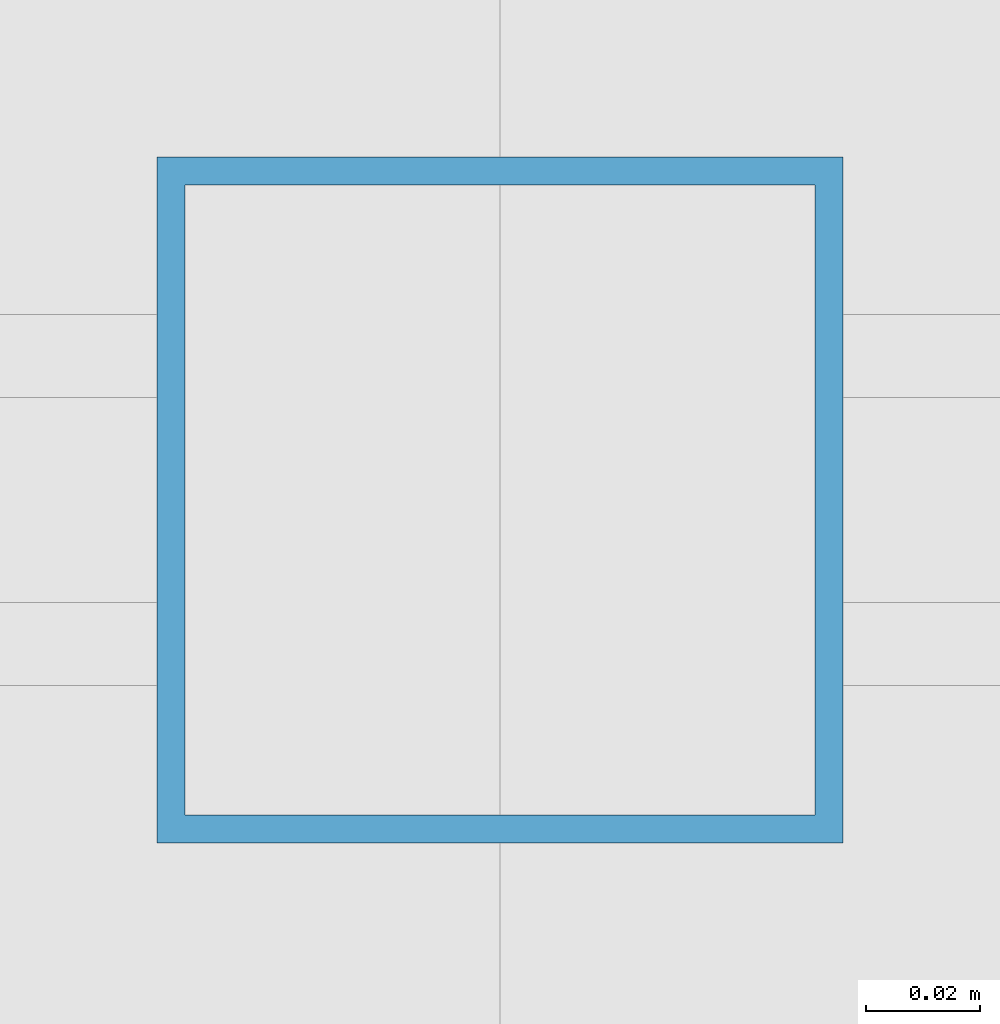
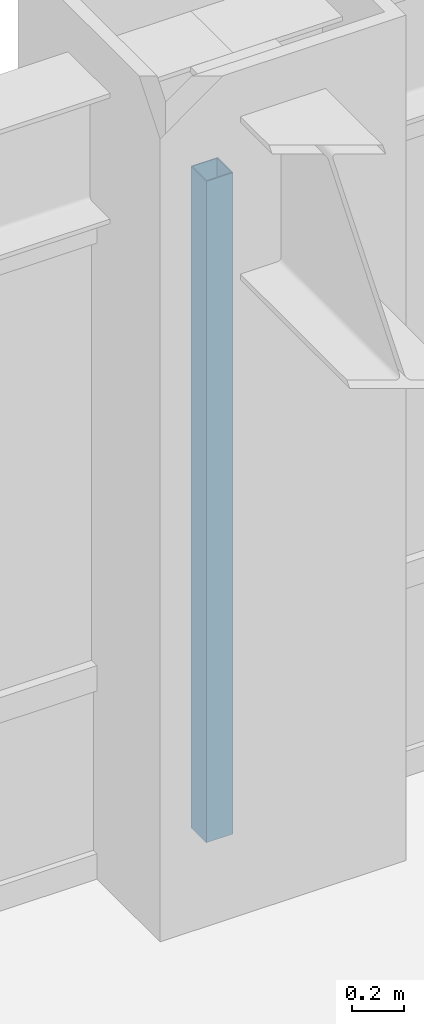
# One storey, part 16 of 24: 1 member, 1 element without a shape of its own.
"""IFC4 building model written with IfcOpenShell, lengths in metres."""

from ifc_helpers import new_model, si_unit, direction, frame, origin, origin_2d, place, context, subcontext, project, spatial, hollow_rectangle, extrude, source, transform, mapped, material, material_profile, profile_set, type_object, element, aggregate, save


model = new_model("IFC4")

# Units and contexts
model_context = context("Model", 3, precision=1e-05, world=origin(), true_north=direction((0.0, 1.0)))
body_context = subcontext(model_context, "Body", "Model", "MODEL_VIEW")
ifc_project = project(units=[si_unit("LENGTHUNIT", "METRE"), si_unit("AREAUNIT", "SQUARE_METRE"), si_unit("VOLUMEUNIT", "CUBIC_METRE"), si_unit("PLANEANGLEUNIT", "RADIAN"), si_unit("MASSUNIT", "GRAM", prefix="KILO")], contexts=[model_context])

# Site, building, storey
site_placement = place(None, origin())
site = spatial("IfcSite", under=ifc_project, at=site_placement, CompositionType="ELEMENT")
building_placement = place(site_placement, origin())
building = spatial("IfcBuilding", under=site, at=building_placement, Name="Khorayat Bourse Tower", CompositionType="ELEMENT")
storey_placement = place(building_placement, frame((0.0, 0.0, 159.10009765625)))
storey = spatial("IfcBuildingStorey", under=building, at=storey_placement, Name="L36", CompositionType="ELEMENT", Elevation=159.10009765625)

# Curtain wall, member
ifc_material = material(Name="Aluminium EN AW-6063 T6", Category="aluminium")
curtain_wall_type = type_object("IfcCurtainWallType", Name="CW-SYS-03", PredefinedType="NOTDEFINED", material=ifc_material)
curtain_wall_placement = place(storey_placement, origin())
curtain_wall = element("IfcCurtainWall", 1, at=curtain_wall_placement, inside=storey, type_object=curtain_wall_type, Name="L36 Curtain Wall CW-L36-N1", PredefinedType="NOTDEFINED")
ifc_material_profile = material_profile(ifc_material, hollow_rectangle(XDim=0.1201171875, YDim=0.1201171875, WallThickness=0.0048828125, at=origin_2d()), Name="ALU 120x120x5")
ifc_profile_set = profile_set([ifc_material_profile], Name="Aluminium EN AW-6063 T6")
member_type = type_object("IfcMemberType", Name="CWM-VERT-120", PredefinedType="MULLION", material=ifc_profile_set)
shared_shape = source(origin(), body_context, "Body", "SweptSolid", [
    extrude(hollow_rectangle(XDim=0.1201171875, YDim=0.1201171875, WallThickness=0.0048828125, at=origin_2d()), origin(), (0.0, 0.0, 1.0), 3.1298828125),
])
member_placement = place(storey_placement, frame((0.0, 30.0, 0.0), z_axis=(0.0, 0.0, 1.0), x_axis=(0.0, 1.0, 0.0)))
member = element("IfcMember", 2, at=member_placement, type_object=member_type, Name="CW-L36-N1 Vertical Mullion 2", PredefinedType="MULLION", context=body_context, shape_type="MappedRepresentation", body=[
    mapped(shared_shape, transform((0.0, 0.0, 0.0), scale=1.0)),
])
aggregate(curtain_wall, [member])

save(model, "model.ifc")
